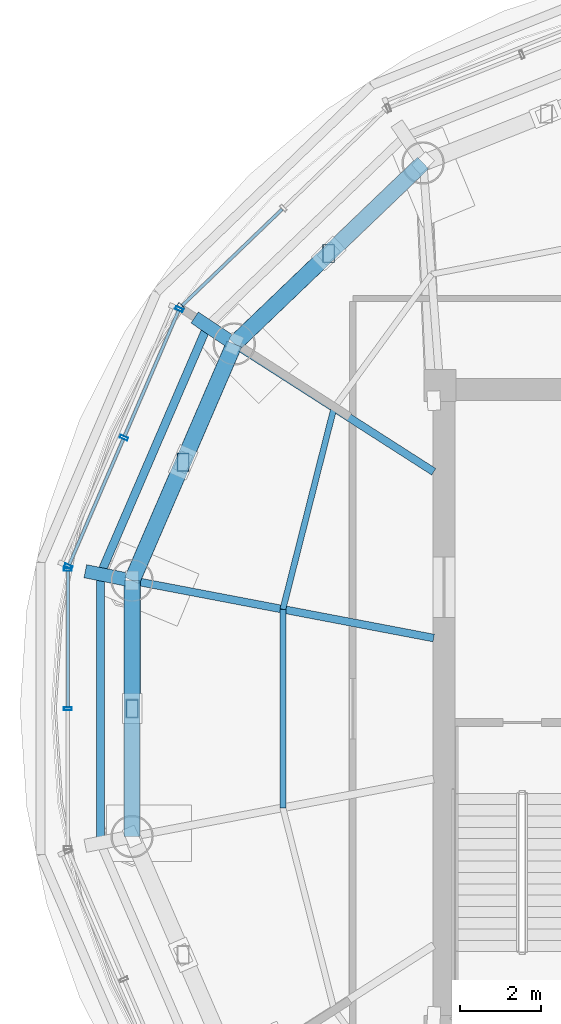
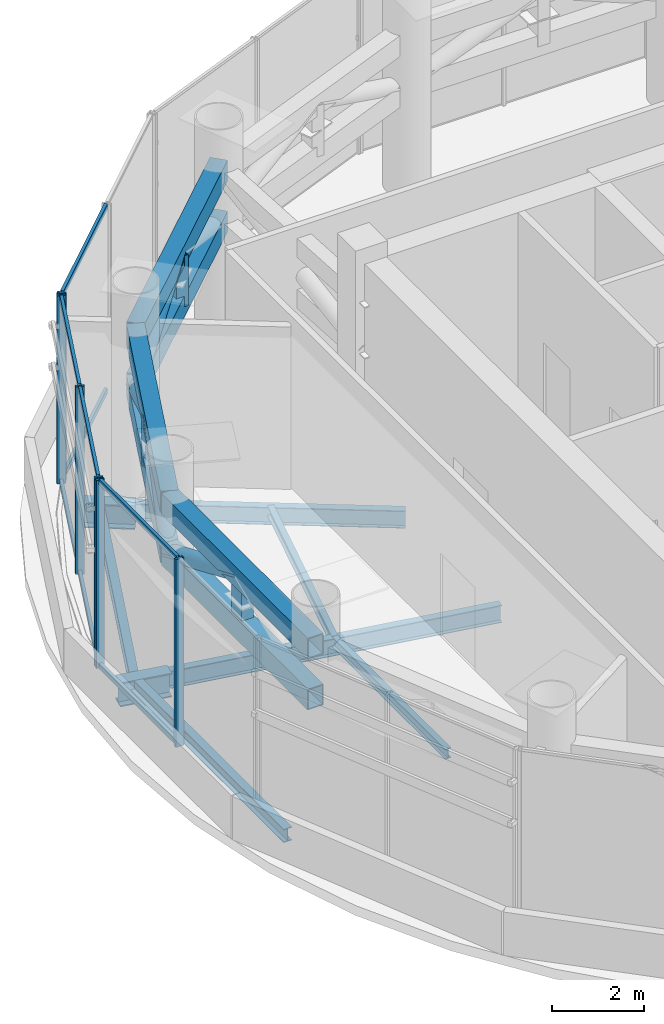
# One storey, part 7 of 21: 27 members, 8 beams, 3 elements without a shape of their own.
"""IFC4 building model written with IfcOpenShell, lengths in metres."""

from ifc_helpers import new_model, si_unit, direction, frame, origin, origin_2d, place, context, subcontext, project, spatial, hollow_rectangle, hollow_circle, i_section, extrude, source, transform, mapped, material, material_profile, profile_set, type_object, element, aggregate, save


model = new_model("IFC4")

# Units and contexts
model_context = context("Model", 3, precision=1e-05, world=origin(), true_north=direction((-0.2419218956, 0.970295726276)))
body_context = subcontext(model_context, "Body", "Model", "MODEL_VIEW")
ifc_project = project(units=[si_unit("LENGTHUNIT", "METRE"), si_unit("AREAUNIT", "SQUARE_METRE"), si_unit("VOLUMEUNIT", "CUBIC_METRE"), si_unit("PLANEANGLEUNIT", "RADIAN"), si_unit("MASSUNIT", "GRAM", prefix="KILO")], contexts=[model_context])

# Site, building, storey
site_placement = place(None, origin())
site = spatial("IfcSite", under=ifc_project, at=site_placement, CompositionType="ELEMENT")
building_placement = place(site_placement, origin())
building = spatial("IfcBuilding", under=site, at=building_placement, Name="Cobrevalo Terracotta Tower", CompositionType="ELEMENT")
storey_placement = place(building_placement, frame((0.0, 0.0, 300.699951171875)))
storey = spatial("IfcBuildingStorey", under=building, at=storey_placement, Name="L79", CompositionType="ELEMENT", Elevation=300.699951171875)

# Beams
ifc_material_1 = material(Name="Steel S355", Category="steel")
ifc_material_profile_1 = material_profile(ifc_material_1, i_section(OverallWidth=0.19091796875, OverallDepth=0.4599609375, WebThickness=0.010009765625, FlangeThickness=0.01611328125, at=origin_2d()), Name="W 460x82")
ifc_profile_set_1 = profile_set([ifc_material_profile_1], Name="Steel S355")
beam_type_1 = type_object("IfcBeamType", Name="Structural Beam W 460x82 (Steel S355)", PredefinedType="BEAM", material=ifc_profile_set_1)
beam_1_placement = place(storey_placement, frame((23.906494140625, 35.828125, -0.679931640625), z_axis=(0.842043011216, -0.539410388538, 0.0), x_axis=(0.539410388538, 0.842043011216, 0.0)))
element("IfcBeam", 1, at=beam_1_placement, inside=storey, type_object=beam_type_1, Name="L79 radial floor girder 07", PredefinedType="BEAM", context=body_context, shape_type="SweptSolid", body=[
    extrude(i_section(OverallWidth=0.19091796875, OverallDepth=0.4599609375, WebThickness=0.010009765625, FlangeThickness=0.01611328125, at=origin_2d()), origin(), (0.0, 0.0, 1.0), 5.864990234375),
])
beam_2_placement = place(storey_placement, frame((21.375732421875, 29.97021484375, -0.679931640625), z_axis=(0.982299763282, -0.187315709583, 0.0), x_axis=(0.187315709583, 0.982299763282, 0.0)))
element("IfcBeam", 2, at=beam_2_placement, inside=storey, type_object=beam_type_1, Name="L79 radial floor girder 08", PredefinedType="BEAM", context=body_context, shape_type="SweptSolid", body=[
    extrude(i_section(OverallWidth=0.19091796875, OverallDepth=0.4599609375, WebThickness=0.010009765625, FlangeThickness=0.01611328125, at=origin_2d()), origin(), (0.0, 0.0, 1.0), 7.603759765625),
])
ifc_material_profile_2 = material_profile(ifc_material_1, i_section(OverallWidth=0.3291015625, OverallDepth=0.635009765625, WebThickness=0.017822265625, FlangeThickness=0.031005859375, at=origin_2d()), Name="W 610x241")
ifc_profile_set_2 = profile_set([ifc_material_profile_2], Name="Steel S355")
beam_type_2 = type_object("IfcBeamType", Name="Structural Beam W 610x241 (Steel S355)", PredefinedType="BEAM", material=ifc_profile_set_2)
beam_3_placement = place(storey_placement, frame((22.925537109375, 36.483642578125, -0.767333984375), z_axis=(0.831444927207, -0.5556071751, 0.0), x_axis=(0.5556071751, 0.831444927207, 0.0)))
element("IfcBeam", 3, at=beam_3_placement, inside=storey, type_object=beam_type_2, Name="L79 setback step-link girder 07", PredefinedType="BEAM", context=body_context, shape_type="SweptSolid", body=[
    extrude(i_section(OverallWidth=0.3291015625, OverallDepth=0.635009765625, WebThickness=0.017822265625, FlangeThickness=0.031005859375, at=origin_2d()), origin(), (0.0, 0.0, 1.0), 1.179931640625),
])
beam_4_placement = place(storey_placement, frame((20.21826171875, 30.200439453125, -0.767333984375), z_axis=(0.980787003584, -0.195081658802, 0.0), x_axis=(0.195081658802, 0.980787003584, 0.0)))
element("IfcBeam", 4, at=beam_4_placement, inside=storey, type_object=beam_type_2, Name="L79 setback step-link girder 08", PredefinedType="BEAM", context=body_context, shape_type="SweptSolid", body=[
    extrude(i_section(OverallWidth=0.3291015625, OverallDepth=0.635009765625, WebThickness=0.017822265625, FlangeThickness=0.031005859375, at=origin_2d()), origin(), (0.0, 0.0, 1.0), 1.18017578125),
])
ifc_material_profile_3 = material_profile(ifc_material_1, i_section(OverallWidth=0.14794921875, OverallDepth=0.26611328125, WebThickness=0.007568359375, FlangeThickness=0.012939453125, at=origin_2d()), Name="W 250x44.8")
ifc_profile_set_3 = profile_set([ifc_material_profile_3], Name="Steel S355")
beam_type_3 = type_object("IfcBeamType", Name="Structural Joist W 250x44.8 (Steel S355)", PredefinedType="JOIST", material=ifc_profile_set_3)
beam_5_placement = place(storey_placement, frame((26.375732421875, 34.246337890625, -0.5830078125), z_axis=(-0.24588290489, -0.969299539401, 0.0), x_axis=(0.969299539401, -0.24588290489, 0.0)))
element("IfcBeam", 5, at=beam_5_placement, inside=storey, type_object=beam_type_3, Name="L79 circumferential secondary floor joist 07", PredefinedType="JOIST", context=body_context, shape_type="SweptSolid", body=[
    extrude(i_section(OverallWidth=0.14794921875, OverallDepth=0.26611328125, WebThickness=0.007568359375, FlangeThickness=0.012939453125, at=origin_2d()), origin(), (0.0, 0.0, 1.0), 5.146240234375),
])
beam_6_placement = place(storey_placement, frame((25.1103515625, 29.258056640625, -0.5830078125), z_axis=(0.0, -1.0, 0.0), x_axis=(1.0, 0.0, 0.0)))
element("IfcBeam", 6, at=beam_6_placement, inside=storey, type_object=beam_type_3, Name="L79 circumferential secondary floor joist 08", PredefinedType="JOIST", context=body_context, shape_type="SweptSolid", body=[
    extrude(i_section(OverallWidth=0.14794921875, OverallDepth=0.26611328125, WebThickness=0.007568359375, FlangeThickness=0.012939453125, at=origin_2d()), origin(), (0.0, 0.0, 1.0), 4.916015625),
])
ifc_material_profile_4 = material_profile(ifc_material_1, i_section(OverallWidth=0.205078125, OverallDepth=0.35400390625, WebThickness=0.009521484375, FlangeThickness=0.016845703125, at=origin_2d()), Name="W 360x79")
ifc_profile_set_4 = profile_set([ifc_material_profile_4], Name="Steel S355")
beam_type_4 = type_object("IfcBeamType", Name="Structural Spandrel W 360x79 (Steel S355)", PredefinedType="SPANDREL", material=ifc_profile_set_4)
beam_7_placement = place(storey_placement, frame((23.241455078125, 36.2724609375, -0.626953125), z_axis=(-0.395974127655, -0.918261667624, 0.0), x_axis=(0.918261667624, -0.395974127655, 0.0)))
element("IfcBeam", 7, at=beam_7_placement, inside=storey, type_object=beam_type_4, Name="L79 perimeter ring spandrel 07", PredefinedType="SPANDREL", context=body_context, shape_type="SweptSolid", body=[
    extrude(i_section(OverallWidth=0.205078125, OverallDepth=0.35400390625, WebThickness=0.009521484375, FlangeThickness=0.016845703125, at=origin_2d()), origin(), (0.0, 0.0, 1.0), 6.693359375),
])
beam_8_placement = place(storey_placement, frame((20.591064453125, 30.126220703125, -0.626953125), z_axis=(0.0, -1.0, 0.0), x_axis=(1.0, 0.0, 0.0)))
element("IfcBeam", 8, at=beam_8_placement, inside=storey, type_object=beam_type_4, Name="L79 perimeter ring spandrel 08", PredefinedType="SPANDREL", context=body_context, shape_type="SweptSolid", body=[
    extrude(i_section(OverallWidth=0.205078125, OverallDepth=0.35400390625, WebThickness=0.009521484375, FlangeThickness=0.016845703125, at=origin_2d()), origin(), (0.0, 0.0, 1.0), 6.652587890625),
])

# Members
ifc_material_profile_5 = material_profile(ifc_material_1, hollow_rectangle(XDim=0.39990234375, YDim=0.550048828125, WallThickness=0.02490234375, at=origin_2d()), Name="RHS 550x400x25")
ifc_profile_set_5 = profile_set([ifc_material_profile_5], Name="Steel S355")
member_type_1 = type_object("IfcMemberType", Name="Steel Chord RHS 550x400x25 (Steel S355)", PredefinedType="CHORD", material=ifc_profile_set_5)
shared_shape_1 = source(origin(), body_context, "Body", "SweptSolid", [
    extrude(hollow_rectangle(XDim=0.39990234375, YDim=0.550048828125, WallThickness=0.02490234375, at=origin_2d()), origin(), (0.0, 0.0, 1.0), 6.381103515625),
])
for number, where, z_axis, x_axis, name in (
    (9, (23.906494140625, 35.828125, 2.650146484375), (-0.396595776552, -0.917993349661, 0.0), (0.917993349661, -0.396595776552, 0.0), "L79 belt truss chord 07-BC"),
    (10, (23.906494140625, 35.828125, 4.0), (-0.396595776552, -0.917993349661, 0.0), (0.917993349661, -0.396595776552, 0.0), "L79 belt truss chord 07-TC"),
):
    element("IfcMember", number, at=place(storey_placement, frame(where, z_axis=z_axis, x_axis=x_axis)), inside=storey, type_object=member_type_1, Name=name, PredefinedType="CHORD", context=body_context, shape_type="MappedRepresentation", body=[
        mapped(shared_shape_1, transform((0.0, 0.0, 0.0), scale=1.0)),
    ])
ifc_material_profile_6 = material_profile(ifc_material_1, hollow_rectangle(XDim=0.300048828125, YDim=0.449951171875, WallThickness=0.02001953125, at=origin_2d()), Name="RHS 450x300x20")
ifc_profile_set_6 = profile_set([ifc_material_profile_6], Name="Steel S355")
member_type_2 = type_object("IfcMemberType", Name="Steel Post RHS 450x300x20 (Steel S355)", PredefinedType="POST", material=ifc_profile_set_6)
shared_shape_2 = source(origin(), body_context, "Body", "SweptSolid", [
    extrude(hollow_rectangle(XDim=0.300048828125, YDim=0.449951171875, WallThickness=0.02001953125, at=origin_2d()), origin(), (0.0, 0.0, 1.0), 1.349853515625),
])
for number, where, z_axis, x_axis, name in (
    (11, (26.244873046875, 38.069580078125, 2.650146484375), (0.0, 0.0, 1.0), (1.0, 0.0, 0.0), "L79 belt truss post 06"),
    (12, (22.64111328125, 32.899169921875, 2.650146484375), (0.0, 0.0, 1.0), (1.0, 0.0, 0.0), "L79 belt truss post 07"),
    (13, (21.375732421875, 26.800048828125, 2.650146484375), (0.0, 0.0, 1.0), (1.0, 0.0, 0.0), "L79 belt truss post 08"),
):
    element("IfcMember", number, at=place(storey_placement, frame(where, z_axis=z_axis, x_axis=x_axis)), inside=storey, type_object=member_type_2, Name=name, PredefinedType="POST", context=body_context, shape_type="MappedRepresentation", body=[
        mapped(shared_shape_2, transform((0.0, 0.0, 0.0), scale=1.0)),
    ])
ifc_material_profile_7 = material_profile(ifc_material_1, hollow_circle(Radius=0.202880859375, WallThickness=0.01611328125, at=origin_2d()), Name="CHS 406x16")
ifc_profile_set_7 = profile_set([ifc_material_profile_7], Name="Steel S355")
member_type_3 = type_object("IfcMemberType", Name="Steel Brace CHS 406x16 (Steel S355)", PredefinedType="BRACE", material=ifc_profile_set_7)
shared_shape_3 = source(origin(), body_context, "Body", "SweptSolid", [
    extrude(hollow_circle(Radius=0.202880859375, WallThickness=0.01611328125, at=origin_2d()), origin(), (0.0, 0.0, 1.0), 3.46435546875),
])
for number, where, z_axis, x_axis, name in (
    (14, (23.906494140625, 35.828125, 2.650146484375), (-0.365252471752, -0.845443546905, 0.389635523117), (0.917993349661, -0.396595776552, 0.0), "L79 belt truss diagonal brace 07-D1"),
    (15, (21.375732421875, 29.97021484375, 2.650146484375), (0.365252471752, 0.845443546905, 0.389635523117), (-0.917993349661, 0.396595776552, 0.0), "L79 belt truss diagonal brace 07-D2"),
):
    element("IfcMember", number, at=place(storey_placement, frame(where, z_axis=z_axis, x_axis=x_axis)), inside=storey, type_object=member_type_3, Name=name, PredefinedType="BRACE", context=body_context, shape_type="MappedRepresentation", body=[
        mapped(shared_shape_3, transform((0.0, 0.0, 0.0), scale=1.0)),
    ])
shared_shape_4 = source(origin(), body_context, "Body", "SweptSolid", [
    extrude(hollow_rectangle(XDim=0.39990234375, YDim=0.550048828125, WallThickness=0.02490234375, at=origin_2d()), origin(), (0.0, 0.0, 1.0), 6.478271484375),
])
for number, where, z_axis, x_axis, name in (
    (16, (28.5830078125, 40.311279296875, 2.650146484375), (-0.721872886551, -0.69202567558, 0.0), (0.69202567558, -0.721872886551, 0.0), "L79 belt truss chord 06-BC"),
    (17, (28.5830078125, 40.311279296875, 4.0), (-0.721872886551, -0.69202567558, 0.0), (0.69202567558, -0.721872886551, 0.0), "L79 belt truss chord 06-TC"),
):
    element("IfcMember", number, at=place(storey_placement, frame(where, z_axis=z_axis, x_axis=x_axis)), inside=storey, type_object=member_type_1, Name=name, PredefinedType="CHORD", context=body_context, shape_type="MappedRepresentation", body=[
        mapped(shared_shape_4, transform((0.0, 0.0, 0.0), scale=1.0)),
    ])
shared_shape_5 = source(origin(), body_context, "Body", "SweptSolid", [
    extrude(hollow_circle(Radius=0.202880859375, WallThickness=0.01611328125, at=origin_2d()), origin(), (0.0, 0.0, 1.0), 3.50927734375),
])
member_1_placement = place(storey_placement, frame((23.906494140625, 35.828125, 2.650146484375), z_axis=(0.666363276891, 0.638743082599, 0.384665124027), x_axis=(-0.691987210366, 0.721909759382, 0.0)))
element("IfcMember", 18, at=member_1_placement, inside=storey, type_object=member_type_3, Name="L79 belt truss diagonal brace 06-D2", PredefinedType="BRACE", context=body_context, shape_type="MappedRepresentation", body=[
    mapped(shared_shape_5, transform((0.0, 0.0, 0.0), scale=1.0)),
])
shared_shape_6 = source(origin(), body_context, "Body", "SweptSolid", [
    extrude(hollow_rectangle(XDim=0.39990234375, YDim=0.550048828125, WallThickness=0.02490234375, at=origin_2d()), origin(), (0.0, 0.0, 1.0), 6.34033203125),
])
for number, where, z_axis, x_axis, name in (
    (19, (21.375732421875, 29.97021484375, 2.650146484375), (0.0, -1.0, 0.0), (1.0, 0.0, 0.0), "L79 belt truss chord 08-BC"),
    (20, (21.375732421875, 29.97021484375, 4.0), (0.0, -1.0, 0.0), (1.0, 0.0, 0.0), "L79 belt truss chord 08-TC"),
):
    element("IfcMember", number, at=place(storey_placement, frame(where, z_axis=z_axis, x_axis=x_axis)), inside=storey, type_object=member_type_1, Name=name, PredefinedType="CHORD", context=body_context, shape_type="MappedRepresentation", body=[
        mapped(shared_shape_6, transform((0.0, 0.0, 0.0), scale=1.0)),
    ])
shared_shape_7 = source(origin(), body_context, "Body", "SweptSolid", [
    extrude(hollow_circle(Radius=0.202880859375, WallThickness=0.01611328125, at=origin_2d()), origin(), (0.0, 0.0, 1.0), 3.445556640625),
])
member_2_placement = place(storey_placement, frame((21.375732421875, 29.97021484375, 2.650146484375), z_axis=(0.0, -0.920066075966, 0.391763214017), x_axis=(1.0, 0.0, 0.0)))
element("IfcMember", 21, at=member_2_placement, inside=storey, type_object=member_type_3, Name="L79 belt truss diagonal brace 08-D1", PredefinedType="BRACE", context=body_context, shape_type="MappedRepresentation", body=[
    mapped(shared_shape_7, transform((0.0, 0.0, 0.0), scale=1.0)),
])

# Curtain wall, member
ifc_material_2 = material(Name="Anodized aluminium", Category="aluminium")
curtain_wall_type = type_object("IfcCurtainWallType", Name="Belt-truss plant acoustic weather-louvre curtain wall CW-LV", PredefinedType="NOTDEFINED", material=ifc_material_2)
curtain_wall_1_placement = place(storey_placement, origin())
curtain_wall_1 = element("IfcCurtainWall", 22, at=curtain_wall_1_placement, inside=storey, type_object=curtain_wall_type, Name="L79 curtain wall CW-LV-L79-S06", PredefinedType="NOTDEFINED")
ifc_material_profile_8 = material_profile(ifc_material_2, hollow_rectangle(XDim=0.074951171875, YDim=0.199951171875, WallThickness=0.0048828125, at=origin_2d()), Name="CWM 75x200")
ifc_profile_set_8 = profile_set([ifc_material_profile_8], Name="Anodized aluminium")
member_type_4 = type_object("IfcMemberType", Name="Lower/mid tower unitised mullion 75x200", PredefinedType="MULLION", material=ifc_profile_set_8)
shared_shape_8 = source(origin(), body_context, "Body", "SweptSolid", [
    extrude(hollow_rectangle(XDim=0.074951171875, YDim=0.199951171875, WallThickness=0.0048828125, at=origin_2d()), origin(), (0.0, 0.0, 1.0), 4.97998046875),
])
member_3_placement = place(storey_placement, frame((22.58837890625, 36.755859375, 0.0), z_axis=(0.0, 0.0, 1.0), x_axis=(-0.72055111168, -0.693401828276, 0.0)))
member_3 = element("IfcMember", 23, at=member_3_placement, type_object=member_type_4, Name="CW-LV-L79-S06 vertical mullion 03", PredefinedType="MULLION", context=body_context, shape_type="MappedRepresentation", body=[
    mapped(shared_shape_8, transform((0.0, 0.0, 0.0), scale=1.0)),
])

# Curtain wall, members
curtain_wall_2_placement = place(storey_placement, origin())
curtain_wall_2 = element("IfcCurtainWall", 24, at=curtain_wall_2_placement, inside=storey, type_object=curtain_wall_type, Name="L79 curtain wall CW-LV-L79-S07", PredefinedType="NOTDEFINED")
member_4_placement = place(storey_placement, frame((22.543701171875, 36.69140625, 0.0), z_axis=(0.0, 0.0, 1.0), x_axis=(-0.395369166227, -0.918522303701, 0.0)))
member_4 = element("IfcMember", 25, at=member_4_placement, type_object=member_type_4, Name="CW-LV-L79-S07 vertical mullion 01", PredefinedType="MULLION", context=body_context, shape_type="MappedRepresentation", body=[
    mapped(shared_shape_8, transform((0.0, 0.0, 0.0), scale=1.0)),
])
member_5_placement = place(storey_placement, frame((21.173095703125, 33.507080078125, 0.0), z_axis=(0.0, 0.0, 1.0), x_axis=(-0.395369166227, -0.918522303701, 0.0)))
member_5 = element("IfcMember", 26, at=member_5_placement, type_object=member_type_4, Name="CW-LV-L79-S07 vertical mullion 02", PredefinedType="MULLION", context=body_context, shape_type="MappedRepresentation", body=[
    mapped(shared_shape_8, transform((0.0, 0.0, 0.0), scale=1.0)),
])
member_6_placement = place(storey_placement, frame((19.802734375, 30.322998046875, 0.0), z_axis=(0.0, 0.0, 1.0), x_axis=(-0.395369166227, -0.918522303701, 0.0)))
member_6 = element("IfcMember", 27, at=member_6_placement, type_object=member_type_4, Name="CW-LV-L79-S07 vertical mullion 03", PredefinedType="MULLION", context=body_context, shape_type="MappedRepresentation", body=[
    mapped(shared_shape_8, transform((0.0, 0.0, 0.0), scale=1.0)),
])

curtain_wall_3_placement = place(storey_placement, origin())
curtain_wall_3 = element("IfcCurtainWall", 28, at=curtain_wall_3_placement, inside=storey, type_object=curtain_wall_type, Name="L79 curtain wall CW-LV-L79-S08", PredefinedType="NOTDEFINED")
member_7_placement = place(storey_placement, frame((19.786865234375, 30.246337890625, 0.0), z_axis=(0.0, 0.0, 1.0), x_axis=(0.0, -1.0, 0.0)))
member_7 = element("IfcMember", 29, at=member_7_placement, type_object=member_type_4, Name="CW-LV-L79-S08 vertical mullion 01", PredefinedType="MULLION", context=body_context, shape_type="MappedRepresentation", body=[
    mapped(shared_shape_8, transform((0.0, 0.0, 0.0), scale=1.0)),
])
member_8_placement = place(storey_placement, frame((19.786865234375, 26.800048828125, 0.0), z_axis=(0.0, 0.0, 1.0), x_axis=(0.0, -1.0, 0.0)))
member_8 = element("IfcMember", 30, at=member_8_placement, type_object=member_type_4, Name="CW-LV-L79-S08 vertical mullion 02", PredefinedType="MULLION", context=body_context, shape_type="MappedRepresentation", body=[
    mapped(shared_shape_8, transform((0.0, 0.0, 0.0), scale=1.0)),
])

# Member
ifc_material_profile_9 = material_profile(ifc_material_2, hollow_rectangle(XDim=0.074951171875, YDim=0.14990234375, WallThickness=0.00439453125, at=origin_2d()), Name="CWT 75x150")
ifc_profile_set_9 = profile_set([ifc_material_profile_9], Name="Anodized aluminium")
member_type_5 = type_object("IfcMemberType", Name="Tower unitised aluminium transom 75x150", PredefinedType="USERDEFINED", material=ifc_profile_set_9)
shared_shape_9 = source(origin(), body_context, "Body", "SweptSolid", [
    extrude(hollow_rectangle(XDim=0.074951171875, YDim=0.14990234375, WallThickness=0.00439453125, at=origin_2d()), origin(), (0.0, 0.0, 1.0), 3.386474609375),
])
member_9_placement = place(storey_placement, frame((22.528076171875, 36.654541015625, 0.050048828125), z_axis=(-0.395415271574, -0.918502456723, 0.0), x_axis=(0.918502456723, -0.395415271574, 0.0)))
member_9 = element("IfcMember", 31, at=member_9_placement, type_object=member_type_5, Name="CW-LV-L79-S07 transom B01-T1", ObjectType="TRANSOM", PredefinedType="USERDEFINED", context=body_context, shape_type="MappedRepresentation", body=[
    mapped(shared_shape_9, transform((0.0, 0.0, 0.0), scale=1.0)),
])

member_10_placement = place(storey_placement, frame((22.528076171875, 36.654541015625, 4.929931640625), z_axis=(-0.395415271574, -0.918502456723, 0.0), x_axis=(0.918502456723, -0.395415271574, 0.0)))
member_10 = element("IfcMember", 32, at=member_10_placement, type_object=member_type_5, Name="CW-LV-L79-S07 transom B01-T2", ObjectType="TRANSOM", PredefinedType="USERDEFINED", context=body_context, shape_type="MappedRepresentation", body=[
    mapped(shared_shape_9, transform((0.0, 0.0, 0.0), scale=1.0)),
])

member_11_placement = place(storey_placement, frame((21.157470703125, 33.470458984375, 0.050048828125), z_axis=(-0.395415271574, -0.918502456723, 0.0), x_axis=(0.918502456723, -0.395415271574, 0.0)))
member_11 = element("IfcMember", 33, at=member_11_placement, type_object=member_type_5, Name="CW-LV-L79-S07 transom B02-T1", ObjectType="TRANSOM", PredefinedType="USERDEFINED", context=body_context, shape_type="MappedRepresentation", body=[
    mapped(shared_shape_9, transform((0.0, 0.0, 0.0), scale=1.0)),
])

member_12_placement = place(storey_placement, frame((21.157470703125, 33.470458984375, 4.929931640625), z_axis=(-0.395415271574, -0.918502456723, 0.0), x_axis=(0.918502456723, -0.395415271574, 0.0)))
member_12 = element("IfcMember", 34, at=member_12_placement, type_object=member_type_5, Name="CW-LV-L79-S07 transom B02-T2", ObjectType="TRANSOM", PredefinedType="USERDEFINED", context=body_context, shape_type="MappedRepresentation", body=[
    mapped(shared_shape_9, transform((0.0, 0.0, 0.0), scale=1.0)),
])

aggregate(curtain_wall_2, [member_4, member_5, member_6, member_9, member_10, member_11, member_12])

shared_shape_10 = source(origin(), body_context, "Body", "SweptSolid", [
    extrude(hollow_rectangle(XDim=0.074951171875, YDim=0.14990234375, WallThickness=0.00439453125, at=origin_2d()), origin(), (0.0, 0.0, 1.0), 3.435302734375),
])
member_13_placement = place(storey_placement, frame((25.092529296875, 39.16552734375, 0.050048828125), z_axis=(-0.720550320284, -0.693402650657, 0.0), x_axis=(0.693402650657, -0.720550320284, 0.0)))
member_13 = element("IfcMember", 35, at=member_13_placement, type_object=member_type_5, Name="CW-LV-L79-S06 transom B02-T1", ObjectType="TRANSOM", PredefinedType="USERDEFINED", context=body_context, shape_type="MappedRepresentation", body=[
    mapped(shared_shape_10, transform((0.0, 0.0, 0.0), scale=1.0)),
])

member_14_placement = place(storey_placement, frame((25.092529296875, 39.16552734375, 4.929931640625), z_axis=(-0.720550320284, -0.693402650657, 0.0), x_axis=(0.693402650657, -0.720550320284, 0.0)))
member_14 = element("IfcMember", 36, at=member_14_placement, type_object=member_type_5, Name="CW-LV-L79-S06 transom B02-T2", ObjectType="TRANSOM", PredefinedType="USERDEFINED", context=body_context, shape_type="MappedRepresentation", body=[
    mapped(shared_shape_10, transform((0.0, 0.0, 0.0), scale=1.0)),
])

aggregate(curtain_wall_1, [member_3, member_13, member_14])

shared_shape_11 = source(origin(), body_context, "Body", "SweptSolid", [
    extrude(hollow_rectangle(XDim=0.074951171875, YDim=0.14990234375, WallThickness=0.00439453125, at=origin_2d()), origin(), (0.0, 0.0, 1.0), 3.3662109375),
])
member_15_placement = place(storey_placement, frame((19.786865234375, 30.206298828125, 0.050048828125), z_axis=(0.0, -1.0, 0.0), x_axis=(1.0, 0.0, 0.0)))
member_15 = element("IfcMember", 37, at=member_15_placement, type_object=member_type_5, Name="CW-LV-L79-S08 transom B01-T1", ObjectType="TRANSOM", PredefinedType="USERDEFINED", context=body_context, shape_type="MappedRepresentation", body=[
    mapped(shared_shape_11, transform((0.0, 0.0, 0.0), scale=1.0)),
])

member_16_placement = place(storey_placement, frame((19.786865234375, 30.206298828125, 4.929931640625), z_axis=(0.0, -1.0, 0.0), x_axis=(1.0, 0.0, 0.0)))
member_16 = element("IfcMember", 38, at=member_16_placement, type_object=member_type_5, Name="CW-LV-L79-S08 transom B01-T2", ObjectType="TRANSOM", PredefinedType="USERDEFINED", context=body_context, shape_type="MappedRepresentation", body=[
    mapped(shared_shape_11, transform((0.0, 0.0, 0.0), scale=1.0)),
])

aggregate(curtain_wall_3, [member_7, member_8, member_15, member_16])

save(model, "model.ifc")
